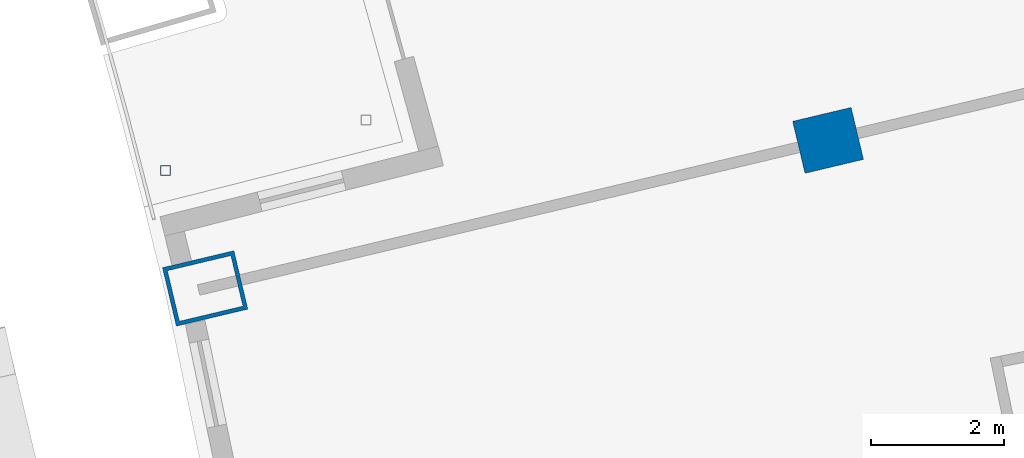
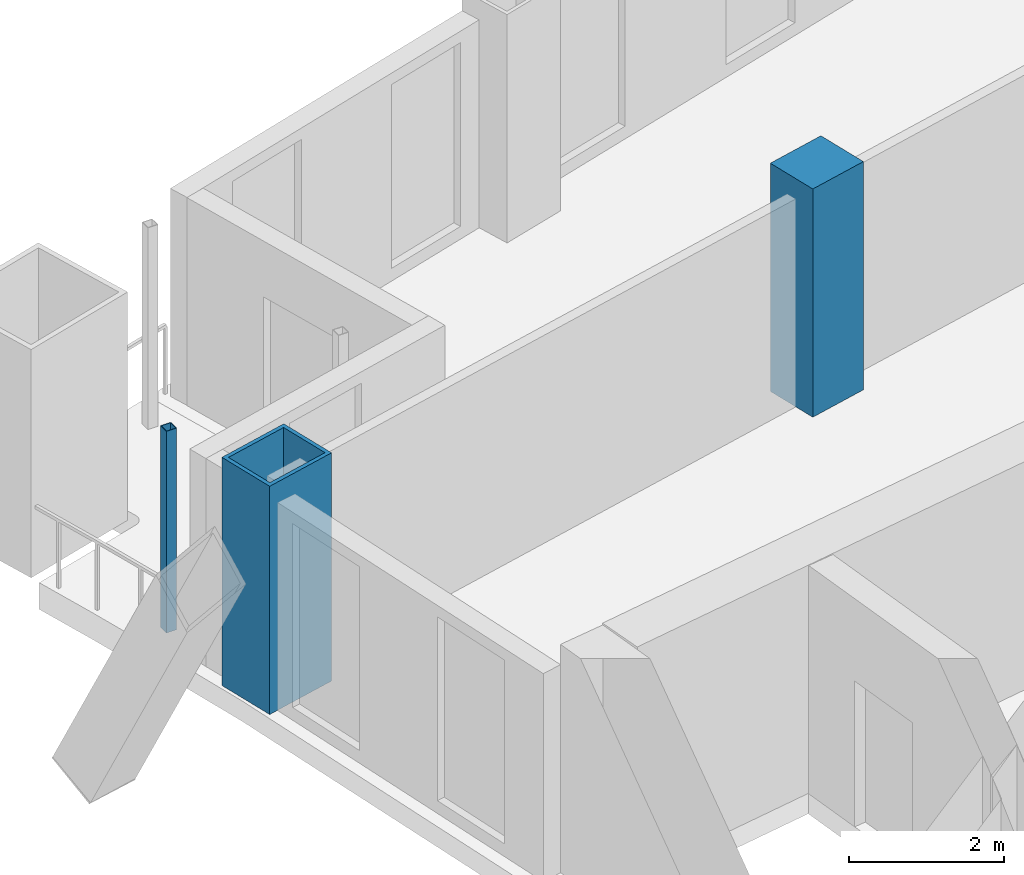
# One storey, part 5 of 20: 3 columns.
"""IFC4 building model written with IfcOpenShell, lengths in metres."""

from ifc_helpers import new_model, si_unit, direction, frame, origin, origin_2d, place, context, subcontext, project, spatial, rectangle, hollow_rectangle, extrude, material, material_profile, profile_set, type_object, element, save


model = new_model("IFC4")

# Units and contexts
model_context = context("Model", 3, precision=1e-05, world=origin(), true_north=direction((0.0, 1.0)))
body_context = subcontext(model_context, "Body", "Model", "MODEL_VIEW")
ifc_project = project(units=[si_unit("LENGTHUNIT", "METRE"), si_unit("AREAUNIT", "SQUARE_METRE"), si_unit("VOLUMEUNIT", "CUBIC_METRE"), si_unit("PLANEANGLEUNIT", "RADIAN"), si_unit("MASSUNIT", "GRAM", prefix="KILO")], contexts=[model_context])

# Site, building, storey
site_placement = place(None, origin())
site = spatial("IfcSite", under=ifc_project, at=site_placement, CompositionType="ELEMENT")
building_placement = place(site_placement, origin())
building = spatial("IfcBuilding", under=site, at=building_placement, Name="Alderwake Tower", CompositionType="ELEMENT")
storey_placement = place(building_placement, frame((0.0, 0.0, 149.60009765625)))
storey = spatial("IfcBuildingStorey", under=building, at=storey_placement, Name="L36", CompositionType="ELEMENT", Elevation=149.60009765625)

# Columns
ifc_material_1 = material(Name="Concrete C70/85", Category="concrete")
ifc_material_profile_1 = material_profile(ifc_material_1, rectangle(XDim=0.800048828125, YDim=0.89990234375, at=origin_2d()), Name="RC 900X800")
ifc_profile_set_1 = profile_set([ifc_material_profile_1], Name="Concrete C70/85")
column_type_1 = type_object("IfcColumnType", Name="Interior column Z3", PredefinedType="COLUMN", material=ifc_profile_set_1)
column_1_placement = place(storey_placement, frame((23.322021484375, 85.555908203125, 0.0), z_axis=(0.0, 0.0, 1.0), x_axis=(-0.231221547198, 0.972901123502, 0.0)))
element("IfcColumn", 1, at=column_1_placement, inside=storey, type_object=column_type_1, Name="Column R11-C1", PredefinedType="COLUMN", context=body_context, shape_type="SweptSolid", body=[
    extrude(rectangle(XDim=0.800048828125, YDim=0.89990234375, at=origin_2d()), origin(), (0.0, 0.0, 1.0), 3.599853515625),
])
ifc_material_2 = material(Name="Steel ASTM A500 Grade C", Category="steel")
ifc_material_profile_2 = material_profile(ifc_material_2, hollow_rectangle(XDim=0.15234375, YDim=0.15234375, WallThickness=0.0087890625, at=origin_2d()), Name="HSS6X6X3/8")
ifc_profile_set_2 = profile_set([ifc_material_profile_2], Name="Steel ASTM A500 Grade C")
column_type_2 = type_object("IfcColumnType", Name="Light post HSS6X6X3/8", PredefinedType="COLUMN", material=ifc_profile_set_2)
column_2_placement = place(storey_placement, frame((13.3896484375, 85.103515625, 0.0), z_axis=(0.0, 0.0, 1.0), x_axis=(1.0, 0.0, 0.0)))
element("IfcColumn", 2, at=column_2_placement, inside=storey, type_object=column_type_2, Name="Terrace post RN1", PredefinedType="COLUMN", context=body_context, shape_type="SweptSolid", body=[
    extrude(hollow_rectangle(XDim=0.15234375, YDim=0.15234375, WallThickness=0.0087890625, at=origin_2d()), origin(), (0.0, 0.0, 1.0), 3.179931640625),
])
ifc_material_3 = material(Name="Steel ASTM A572 Grade 50 concrete filled C70/85", Category="concrete")
ifc_material_profile_3 = material_profile(ifc_material_3, hollow_rectangle(XDim=0.89990234375, YDim=1.10009765625, WallThickness=0.06005859375, at=origin_2d()), Name="BOX 1100X900X60")
ifc_profile_set_3 = profile_set([ifc_material_profile_3], Name="Steel ASTM A572 Grade 50 concrete filled C70/85")
column_type_3 = type_object("IfcColumnType", Name="Perimeter column Z3", PredefinedType="COLUMN", material=ifc_profile_set_3)
column_3_placement = place(storey_placement, frame((13.982177734375, 83.3359375, 0.0), z_axis=(0.0, 0.0, 1.0), x_axis=(-0.231221547198, 0.972901123502, 0.0)))
element("IfcColumn", 3, at=column_3_placement, inside=storey, type_object=column_type_3, Name="Column R11-C0", PredefinedType="COLUMN", context=body_context, shape_type="SweptSolid", body=[
    extrude(hollow_rectangle(XDim=0.89990234375, YDim=1.10009765625, WallThickness=0.06005859375, at=origin_2d()), origin(), (0.0, 0.0, 1.0), 3.599853515625),
])

save(model, "model.ifc")
